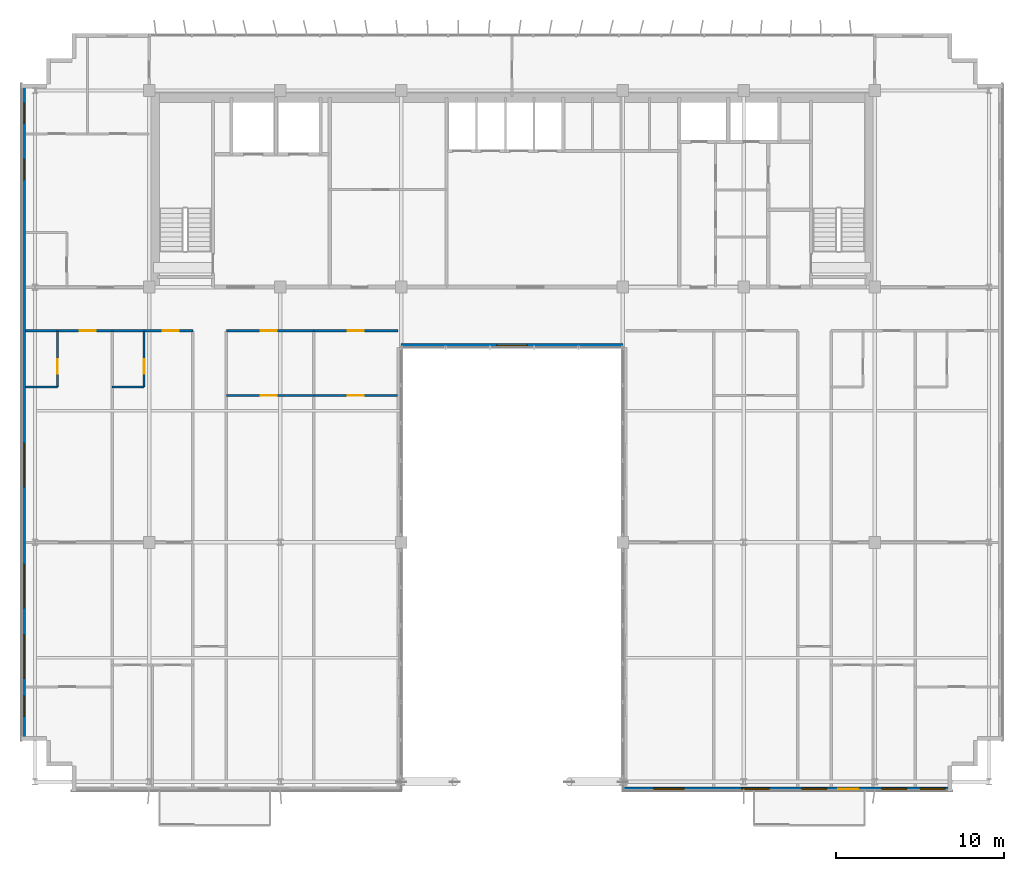
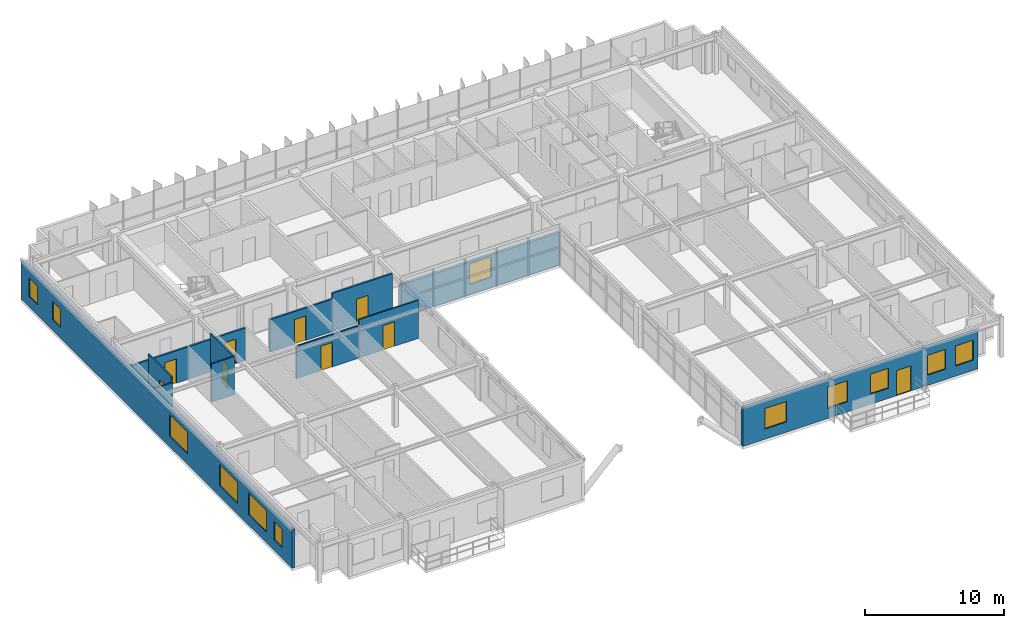
# One storey, part 29 of 35: 13 walls, 12 windows, 9 doors, 21 openings.
"""IFC4 building model written with IfcOpenShell, lengths in metres."""

from ifc_helpers import new_model, si_unit, direction, frame, frame_2d, origin, place, context, subcontext, project, spatial, rectangle, extrude, source, transform, mapped, material, layer, layer_set, type_object, element, fill, save


model = new_model("IFC4")

# Units and contexts
model_context = context("Model", 3, precision=1e-05, world=origin(), true_north=direction((0.0, 1.0)))
body_context = subcontext(model_context, "Body", "Model", "MODEL_VIEW")
ifc_project = project(units=[si_unit("LENGTHUNIT", "METRE"), si_unit("AREAUNIT", "SQUARE_METRE"), si_unit("VOLUMEUNIT", "CUBIC_METRE"), si_unit("PLANEANGLEUNIT", "RADIAN"), si_unit("MASSUNIT", "GRAM", prefix="KILO")], contexts=[model_context])

# Site, building, storey
site_placement = place(None, origin())
site = spatial("IfcSite", under=ifc_project, at=site_placement, CompositionType="ELEMENT")
building_placement = place(site_placement, origin())
building = spatial("IfcBuilding", under=site, at=building_placement, Name="Trelvane Seafront Commons", CompositionType="ELEMENT")
storey_placement = place(building_placement, frame((0.0, 0.0, 194.10009765625)))
storey = spatial("IfcBuildingStorey", under=building, at=storey_placement, Name="L50", CompositionType="ELEMENT", Elevation=194.10009765625)

# Wall, openings, windows
ifc_material_1 = material(Name="Precast concrete C40/50", Category="concrete")
ifc_layer_1 = layer(ifc_material_1, 0.239990234375, Name="ARCH-WALL-EXT240")
ifc_layer_set_1 = layer_set([ifc_layer_1], Name="Precast concrete C40/50")
wall_type_1 = type_object("IfcWallType", Name="ARCH-WALL-EXT240", PredefinedType="SOLIDWALL", material=ifc_layer_set_1)
wall_1_placement = place(storey_placement, frame((8.1201171875, 6.39990234375, 0.0), z_axis=(0.0, 0.0, 1.0), x_axis=(0.0, 1.0, 0.0)))
wall_1 = element("IfcWall", 1, at=wall_1_placement, inside=storey, type_object=wall_type_1, Name="EW-L50-00987", PredefinedType="SOLIDWALL", context=body_context, shape_type="SweptSolid", body=[
    extrude(rectangle(XDim=39.10009765625, YDim=0.239990234375, at=frame_2d((19.550048828125, 0.0))), origin(), (0.0, 0.0, 1.0), 3.35986328125),
])
opening_1_placement = place(wall_1_placement, frame((1.449951171875, 0.0, 0.919921875)))
opening_1 = element("IfcOpeningElement", 2, at=opening_1_placement, cuts=wall_1, Name="Opening W05", PredefinedType="OPENING", context=body_context, shape_type="SweptSolid", body=[
    extrude(rectangle(XDim=1.199951171875, YDim=1.64990234375, at=frame_2d((0.60009765625, 0.824951171875))), frame((0.0, 0.1298828125, 0.0), z_axis=(0.0, -1.0, 0.0), x_axis=(1.0, 0.0, 0.0)), (0.0, 0.0, 1.0), 0.260009765625),
])
opening_2_placement = place(wall_1_placement, frame((3.699951171875, 0.0, 0.919921875)))
opening_2 = element("IfcOpeningElement", 3, at=opening_2_placement, cuts=wall_1, Name="Opening W04", PredefinedType="OPENING", context=body_context, shape_type="SweptSolid", body=[
    extrude(rectangle(XDim=2.60009765625, YDim=1.89990234375, at=frame_2d((1.300048828125, 0.949951171875))), frame((0.0, 0.1298828125, 0.0), z_axis=(0.0, -1.0, 0.0), x_axis=(1.0, 0.0, 0.0)), (0.0, 0.0, 1.0), 0.260009765625),
])
opening_3_placement = place(wall_1_placement, frame((7.89990234375, 0.0, 0.919921875)))
opening_3 = element("IfcOpeningElement", 4, at=opening_3_placement, cuts=wall_1, Name="Opening W04", PredefinedType="OPENING", context=body_context, shape_type="SweptSolid", body=[
    extrude(rectangle(XDim=2.60009765625, YDim=1.89990234375, at=frame_2d((1.300048828125, 0.949951171875))), frame((0.0, 0.1298828125, 0.0), z_axis=(0.0, -1.0, 0.0), x_axis=(1.0, 0.0, 0.0)), (0.0, 0.0, 1.0), 0.260009765625),
])
opening_4_placement = place(wall_1_placement, frame((15.10009765625, 0.0, 0.919921875)))
opening_4 = element("IfcOpeningElement", 5, at=opening_4_placement, cuts=wall_1, Name="Opening W04", PredefinedType="OPENING", context=body_context, shape_type="SweptSolid", body=[
    extrude(rectangle(XDim=2.60009765625, YDim=1.89990234375, at=frame_2d((1.300048828125, 0.949951171875))), frame((0.0, 0.1298828125, 0.0), z_axis=(0.0, -1.0, 0.0), x_axis=(1.0, 0.0, 0.0)), (0.0, 0.0, 1.0), 0.260009765625),
])
opening_5_placement = place(wall_1_placement, frame((33.39990234375, 0.0, 0.919921875)))
opening_5 = element("IfcOpeningElement", 6, at=opening_5_placement, cuts=wall_1, Name="Opening W05", PredefinedType="OPENING", context=body_context, shape_type="SweptSolid", body=[
    extrude(rectangle(XDim=1.199951171875, YDim=1.64990234375, at=frame_2d((0.60009765625, 0.824951171875))), frame((0.0, 0.1298828125, 0.0), z_axis=(0.0, -1.0, 0.0), x_axis=(1.0, 0.0, 0.0)), (0.0, 0.0, 1.0), 0.260009765625),
])
opening_6_placement = place(wall_1_placement, frame((36.75, 0.0, 0.919921875)))
opening_6 = element("IfcOpeningElement", 7, at=opening_6_placement, cuts=wall_1, Name="Opening W05", PredefinedType="OPENING", context=body_context, shape_type="SweptSolid", body=[
    extrude(rectangle(XDim=1.199951171875, YDim=1.64990234375, at=frame_2d((0.60009765625, 0.824951171875))), frame((0.0, 0.1298828125, 0.0), z_axis=(0.0, -1.0, 0.0), x_axis=(1.0, 0.0, 0.0)), (0.0, 0.0, 1.0), 0.260009765625),
])
ifc_material_2 = material(Name="Low-E coastal double glazing", Category="glass")
window_type_1 = type_object("IfcWindowType", Name="ARCH-WIN-W04", PartitioningType="SINGLE_PANEL", PredefinedType="WINDOW", material=ifc_material_2)
shared_shape_1 = source(origin(), body_context, "Body", "SweptSolid", [
    extrude(rectangle(XDim=2.60009765625, YDim=1.89990234375, at=frame_2d((1.300048828125, 0.949951171875))), frame((0.0, 0.030029296875, 0.0), z_axis=(0.0, -1.0, 0.0), x_axis=(1.0, 0.0, 0.0)), (0.0, 0.0, 1.0), 0.06005859375),
])
window_1_placement = place(opening_2_placement, origin())
window_1 = element("IfcWindow", 8, at=window_1_placement, inside=storey, type_object=window_type_1, Name="WIN-L50-EW-01170", OverallHeight=1.89990234375, OverallWidth=2.60009765625, PartitioningType="SINGLE_PANEL", PredefinedType="WINDOW", context=body_context, shape_type="MappedRepresentation", body=[
    mapped(shared_shape_1, transform((0.0, 0.0, 0.0), x_axis=(1.0, 0.0, 0.0), y_axis=(0.0, 1.0, 0.0), z_axis=(0.0, 0.0, 1.0), scale=1.0)),
])
fill(opening_2, window_1)
window_2_placement = place(opening_3_placement, origin())
window_2 = element("IfcWindow", 9, at=window_2_placement, inside=storey, type_object=window_type_1, Name="WIN-L50-EW-01171", OverallHeight=1.89990234375, OverallWidth=2.60009765625, PartitioningType="SINGLE_PANEL", PredefinedType="WINDOW", context=body_context, shape_type="MappedRepresentation", body=[
    mapped(shared_shape_1, transform((0.0, 0.0, 0.0), x_axis=(1.0, 0.0, 0.0), y_axis=(0.0, 1.0, 0.0), z_axis=(0.0, 0.0, 1.0), scale=1.0)),
])
fill(opening_3, window_2)
window_3_placement = place(opening_4_placement, origin())
window_3 = element("IfcWindow", 10, at=window_3_placement, inside=storey, type_object=window_type_1, Name="WIN-L50-EW-01172", OverallHeight=1.89990234375, OverallWidth=2.60009765625, PartitioningType="SINGLE_PANEL", PredefinedType="WINDOW", context=body_context, shape_type="MappedRepresentation", body=[
    mapped(shared_shape_1, transform((0.0, 0.0, 0.0), x_axis=(1.0, 0.0, 0.0), y_axis=(0.0, 1.0, 0.0), z_axis=(0.0, 0.0, 1.0), scale=1.0)),
])
fill(opening_4, window_3)
window_type_2 = type_object("IfcWindowType", Name="ARCH-WIN-W05", PartitioningType="SINGLE_PANEL", PredefinedType="WINDOW", material=ifc_material_2)
shared_shape_2 = source(origin(), body_context, "Body", "SweptSolid", [
    extrude(rectangle(XDim=1.199951171875, YDim=1.64990234375, at=frame_2d((0.60009765625, 0.824951171875))), frame((0.0, 0.030029296875, 0.0), z_axis=(0.0, -1.0, 0.0), x_axis=(1.0, 0.0, 0.0)), (0.0, 0.0, 1.0), 0.06005859375),
])
window_4_placement = place(opening_1_placement, origin())
window_4 = element("IfcWindow", 11, at=window_4_placement, inside=storey, type_object=window_type_2, Name="WIN-L50-EW-01169", OverallHeight=1.64990234375, OverallWidth=1.199951171875, PartitioningType="SINGLE_PANEL", PredefinedType="WINDOW", context=body_context, shape_type="MappedRepresentation", body=[
    mapped(shared_shape_2, transform((0.0, 0.0, 0.0), x_axis=(1.0, 0.0, 0.0), y_axis=(0.0, 1.0, 0.0), z_axis=(0.0, 0.0, 1.0), scale=1.0)),
])
fill(opening_1, window_4)
window_5_placement = place(opening_5_placement, origin())
window_5 = element("IfcWindow", 12, at=window_5_placement, inside=storey, type_object=window_type_2, Name="WIN-L50-EW-01173", OverallHeight=1.64990234375, OverallWidth=1.199951171875, PartitioningType="SINGLE_PANEL", PredefinedType="WINDOW", context=body_context, shape_type="MappedRepresentation", body=[
    mapped(shared_shape_2, transform((0.0, 0.0, 0.0), x_axis=(1.0, 0.0, 0.0), y_axis=(0.0, 1.0, 0.0), z_axis=(0.0, 0.0, 1.0), scale=1.0)),
])
fill(opening_5, window_5)
window_6_placement = place(opening_6_placement, origin())
window_6 = element("IfcWindow", 13, at=window_6_placement, inside=storey, type_object=window_type_2, Name="WIN-L50-EW-01174", OverallHeight=1.64990234375, OverallWidth=1.199951171875, PartitioningType="SINGLE_PANEL", PredefinedType="WINDOW", context=body_context, shape_type="MappedRepresentation", body=[
    mapped(shared_shape_2, transform((0.0, 0.0, 0.0), x_axis=(1.0, 0.0, 0.0), y_axis=(0.0, 1.0, 0.0), z_axis=(0.0, 0.0, 1.0), scale=1.0)),
])
fill(opening_6, window_6)

# Wall, openings, door, windows
wall_2_placement = place(storey_placement, frame((63.39990234375, 3.52001953125, 0.0), z_axis=(0.0, 0.0, 1.0), x_axis=(-1.0, 0.0, 0.0)))
wall_2 = element("IfcWall", 14, at=wall_2_placement, inside=storey, type_object=wall_type_1, Name="EW-L50-01001", PredefinedType="SOLIDWALL", context=body_context, shape_type="SweptSolid", body=[
    extrude(rectangle(XDim=19.599853515625, YDim=0.239990234375, at=frame_2d((9.7998046875, 0.0))), origin(), (0.0, 0.0, 1.0), 3.35986328125),
])
opening_7_placement = place(wall_2_placement, frame((0.39501953125, 0.0, 0.89990234375)))
opening_7 = element("IfcOpeningElement", 15, at=opening_7_placement, cuts=wall_2, Name="Opening W03", PredefinedType="OPENING", context=body_context, shape_type="SweptSolid", body=[
    extrude(rectangle(XDim=1.5, YDim=1.75, at=frame_2d((0.75, 0.875))), frame((0.0, 0.1298828125, 0.0), z_axis=(0.0, -1.0, 0.0), x_axis=(1.0, 0.0, 0.0)), (0.0, 0.0, 1.0), 0.260009765625),
])
opening_8_placement = place(wall_2_placement, frame((2.699951171875, 0.0, 0.89990234375)))
opening_8 = element("IfcOpeningElement", 16, at=opening_8_placement, cuts=wall_2, Name="Opening W03", PredefinedType="OPENING", context=body_context, shape_type="SweptSolid", body=[
    extrude(rectangle(XDim=1.5, YDim=1.75, at=frame_2d((0.75, 0.875))), frame((0.0, 0.1298828125, 0.0), z_axis=(0.0, -1.0, 0.0), x_axis=(1.0, 0.0, 0.0)), (0.0, 0.0, 1.0), 0.260009765625),
])
opening_9_placement = place(wall_2_placement, frame((5.5849609375, 0.0, 0.0)))
opening_9 = element("IfcOpeningElement", 17, at=opening_9_placement, cuts=wall_2, Name="Opening BD-L50-110", PredefinedType="OPENING", context=body_context, shape_type="SweptSolid", body=[
    extrude(rectangle(XDim=1.199951171875, YDim=2.199951171875, at=frame_2d((0.60009765625, 1.10009765625))), frame((0.0, 0.1298828125, 0.0), z_axis=(0.0, -1.0, 0.0), x_axis=(1.0, 0.0, 0.0)), (0.0, 0.0, 1.0), 0.260009765625),
])
opening_10_placement = place(wall_2_placement, frame((7.449951171875, 0.0, 0.89990234375)))
opening_10 = element("IfcOpeningElement", 18, at=opening_10_placement, cuts=wall_2, Name="Opening W03", PredefinedType="OPENING", context=body_context, shape_type="SweptSolid", body=[
    extrude(rectangle(XDim=1.5, YDim=1.75, at=frame_2d((0.75, 0.875))), frame((0.0, 0.1298828125, 0.0), z_axis=(0.0, -1.0, 0.0), x_axis=(1.0, 0.0, 0.0)), (0.0, 0.0, 1.0), 0.260009765625),
])
opening_11_placement = place(wall_2_placement, frame((10.875, 0.0, 0.89990234375)))
opening_11 = element("IfcOpeningElement", 19, at=opening_11_placement, cuts=wall_2, Name="Opening W07", PredefinedType="OPENING", context=body_context, shape_type="SweptSolid", body=[
    extrude(rectangle(XDim=1.64990234375, YDim=1.85009765625, at=frame_2d((0.824951171875, 0.925048828125))), frame((0.0, 0.1298828125, 0.0), z_axis=(0.0, -1.0, 0.0), x_axis=(1.0, 0.0, 0.0)), (0.0, 0.0, 1.0), 0.260009765625),
])
opening_12_placement = place(wall_2_placement, frame((15.955078125, 0.0, 0.89990234375)))
opening_12 = element("IfcOpeningElement", 20, at=opening_12_placement, cuts=wall_2, Name="Opening W01", PredefinedType="OPENING", context=body_context, shape_type="SweptSolid", body=[
    extrude(rectangle(XDim=1.800048828125, YDim=1.800048828125, at=frame_2d((0.89990234375, 0.89990234375))), frame((0.0, 0.1298828125, 0.0), z_axis=(0.0, -1.0, 0.0), x_axis=(1.0, 0.0, 0.0)), (0.0, 0.0, 1.0), 0.260009765625),
])
ifc_material_3 = material(Name="Powder-coated aluminium frame", Category="aluminium")
door_type_1 = type_object("IfcDoorType", Name="ARCH-DR-BAL1200", OperationType="NOTDEFINED", PredefinedType="DOOR", material=ifc_material_3)
shared_shape_3 = source(origin(), body_context, "Body", "SweptSolid", [
    extrude(rectangle(XDim=1.199951171875, YDim=2.199951171875, at=frame_2d((0.60009765625, 1.10009765625))), frame((0.0, 0.02490234375, 0.0), z_axis=(0.0, -1.0, 0.0), x_axis=(1.0, 0.0, 0.0)), (0.0, 0.0, 1.0), 0.050048828125),
])
door_1_placement = place(opening_9_placement, origin())
door_1 = element("IfcDoor", 21, at=door_1_placement, inside=storey, type_object=door_type_1, Name="L50 Balcony Terrace Access Door", OperationType="SINGLE_SWING_LEFT", OverallHeight=2.199951171875, OverallWidth=1.199951171875, PredefinedType="DOOR", context=body_context, shape_type="MappedRepresentation", body=[
    mapped(shared_shape_3, transform((0.0, 0.0, 0.0), x_axis=(1.0, 0.0, 0.0), y_axis=(0.0, 1.0, 0.0), z_axis=(0.0, 0.0, 1.0), scale=1.0)),
])
fill(opening_9, door_1)
window_type_3 = type_object("IfcWindowType", Name="ARCH-WIN-W03", PartitioningType="SINGLE_PANEL", PredefinedType="WINDOW", material=ifc_material_2)
shared_shape_4 = source(origin(), body_context, "Body", "SweptSolid", [
    extrude(rectangle(XDim=1.5, YDim=1.75, at=frame_2d((0.75, 0.875))), frame((0.0, 0.030029296875, 0.0), z_axis=(0.0, -1.0, 0.0), x_axis=(1.0, 0.0, 0.0)), (0.0, 0.0, 1.0), 0.06005859375),
])
window_7_placement = place(opening_7_placement, origin())
window_7 = element("IfcWindow", 22, at=window_7_placement, inside=storey, type_object=window_type_3, Name="WIN-L50-01182", OverallHeight=1.75, OverallWidth=1.5, PartitioningType="SINGLE_PANEL", PredefinedType="WINDOW", context=body_context, shape_type="MappedRepresentation", body=[
    mapped(shared_shape_4, transform((0.0, 0.0, 0.0), x_axis=(1.0, 0.0, 0.0), y_axis=(0.0, 1.0, 0.0), z_axis=(0.0, 0.0, 1.0), scale=1.0)),
])
fill(opening_7, window_7)
window_8_placement = place(opening_8_placement, origin())
window_8 = element("IfcWindow", 23, at=window_8_placement, inside=storey, type_object=window_type_3, Name="WIN-L50-01183", OverallHeight=1.75, OverallWidth=1.5, PartitioningType="SINGLE_PANEL", PredefinedType="WINDOW", context=body_context, shape_type="MappedRepresentation", body=[
    mapped(shared_shape_4, transform((0.0, 0.0, 0.0), x_axis=(1.0, 0.0, 0.0), y_axis=(0.0, 1.0, 0.0), z_axis=(0.0, 0.0, 1.0), scale=1.0)),
])
fill(opening_8, window_8)
window_9_placement = place(opening_10_placement, origin())
window_9 = element("IfcWindow", 24, at=window_9_placement, inside=storey, type_object=window_type_3, Name="WIN-L50-01184", OverallHeight=1.75, OverallWidth=1.5, PartitioningType="SINGLE_PANEL", PredefinedType="WINDOW", context=body_context, shape_type="MappedRepresentation", body=[
    mapped(shared_shape_4, transform((0.0, 0.0, 0.0), x_axis=(1.0, 0.0, 0.0), y_axis=(0.0, 1.0, 0.0), z_axis=(0.0, 0.0, 1.0), scale=1.0)),
])
fill(opening_10, window_9)
window_type_4 = type_object("IfcWindowType", Name="ARCH-WIN-W01", PartitioningType="SINGLE_PANEL", PredefinedType="WINDOW", material=ifc_material_2)
shared_shape_5 = source(origin(), body_context, "Body", "SweptSolid", [
    extrude(rectangle(XDim=1.800048828125, YDim=1.800048828125, at=frame_2d((0.89990234375, 0.89990234375))), frame((0.0, 0.030029296875, 0.0), z_axis=(0.0, -1.0, 0.0), x_axis=(1.0, 0.0, 0.0)), (0.0, 0.0, 1.0), 0.06005859375),
])
window_10_placement = place(opening_12_placement, origin())
window_10 = element("IfcWindow", 25, at=window_10_placement, inside=storey, type_object=window_type_4, Name="WIN-L50-01186", OverallHeight=1.800048828125, OverallWidth=1.800048828125, PartitioningType="SINGLE_PANEL", PredefinedType="WINDOW", context=body_context, shape_type="MappedRepresentation", body=[
    mapped(shared_shape_5, transform((0.0, 0.0, 0.0), x_axis=(1.0, 0.0, 0.0), y_axis=(0.0, 1.0, 0.0), z_axis=(0.0, 0.0, 1.0), scale=1.0)),
])
fill(opening_12, window_10)
window_type_5 = type_object("IfcWindowType", Name="ARCH-WIN-W07", PartitioningType="SINGLE_PANEL", PredefinedType="WINDOW", material=ifc_material_2)
shared_shape_6 = source(origin(), body_context, "Body", "SweptSolid", [
    extrude(rectangle(XDim=1.64990234375, YDim=1.85009765625, at=frame_2d((0.824951171875, 0.925048828125))), frame((0.0, 0.030029296875, 0.0), z_axis=(0.0, -1.0, 0.0), x_axis=(1.0, 0.0, 0.0)), (0.0, 0.0, 1.0), 0.06005859375),
])
window_11_placement = place(opening_11_placement, origin())
window_11 = element("IfcWindow", 26, at=window_11_placement, inside=storey, type_object=window_type_5, Name="WIN-L50-01185", OverallHeight=1.85009765625, OverallWidth=1.64990234375, PartitioningType="SINGLE_PANEL", PredefinedType="WINDOW", context=body_context, shape_type="MappedRepresentation", body=[
    mapped(shared_shape_6, transform((0.0, 0.0, 0.0), x_axis=(1.0, 0.0, 0.0), y_axis=(0.0, 1.0, 0.0), z_axis=(0.0, 0.0, 1.0), scale=1.0)),
])
fill(opening_11, window_11)

# Wall, opening, window
wall_3_placement = place(storey_placement, frame((43.800048828125, 29.919921875, 0.0), z_axis=(0.0, 0.0, 1.0), x_axis=(-1.0, 0.0, 0.0)))
wall_3 = element("IfcWall", 27, at=wall_3_placement, inside=storey, type_object=wall_type_1, Name="EW-L50-01003", PredefinedType="SOLIDWALL", context=body_context, shape_type="SweptSolid", body=[
    extrude(rectangle(XDim=13.199951171875, YDim=0.239990234375, at=frame_2d((6.60009765625, 0.0))), origin(), (0.0, 0.0, 1.0), 2.85986328125),
])
opening_13_placement = place(wall_3_placement, frame((5.699951171875, 0.0, 0.89990234375)))
opening_13 = element("IfcOpeningElement", 28, at=opening_13_placement, cuts=wall_3, Name="Opening W01", PredefinedType="OPENING", context=body_context, shape_type="SweptSolid", body=[
    extrude(rectangle(XDim=1.800048828125, YDim=1.800048828125, at=frame_2d((0.89990234375, 0.89990234375))), frame((0.0, 0.1298828125, 0.0), z_axis=(0.0, -1.0, 0.0), x_axis=(1.0, 0.0, 0.0)), (0.0, 0.0, 1.0), 0.260009765625),
])
window_12_placement = place(opening_13_placement, origin())
window_12 = element("IfcWindow", 29, at=window_12_placement, inside=storey, type_object=window_type_4, Name="WIN-L50-01191", OverallHeight=1.800048828125, OverallWidth=1.800048828125, PartitioningType="SINGLE_PANEL", PredefinedType="WINDOW", context=body_context, shape_type="MappedRepresentation", body=[
    mapped(shared_shape_5, transform((0.0, 0.0, 0.0), x_axis=(1.0, 0.0, 0.0), y_axis=(0.0, 1.0, 0.0), z_axis=(0.0, 0.0, 1.0), scale=1.0)),
])
fill(opening_13, window_12)

# Wall, opening, door
ifc_material_4 = material(Name="Gypsum Drywall Acoustic Partition")
ifc_layer_2 = layer(ifc_material_4, 0.1201171875, Name="ARCH-WALL-PART120")
ifc_layer_set_2 = layer_set([ifc_layer_2], Name="Gypsum Drywall Acoustic Partition")
wall_type_2 = type_object("IfcWallType", Name="ARCH-WALL-PART120", PredefinedType="PARTITIONING", material=ifc_layer_set_2)
wall_4_placement = place(storey_placement, frame((10.139892578125, 27.449951171875, 0.0), z_axis=(0.0, 0.0, 1.0), x_axis=(0.0, 1.0, 0.0)))
wall_4 = element("IfcWall", 30, at=wall_4_placement, inside=storey, type_object=wall_type_2, Name="W-L50-U1-BE-052", PredefinedType="PARTITIONING", context=body_context, shape_type="SweptSolid", body=[
    extrude(rectangle(XDim=3.35009765625, YDim=0.1201171875, at=frame_2d((1.675048828125, 0.0))), origin(), (0.0, 0.0, 1.0), 3.35986328125),
])
opening_14_placement = place(wall_4_placement, frame((0.800048828125, 0.0, 0.0)))
opening_14 = element("IfcOpeningElement", 31, at=opening_14_placement, cuts=wall_4, Name="Opening D-L50-30", PredefinedType="OPENING", context=body_context, shape_type="SweptSolid", body=[
    extrude(rectangle(XDim=0.85009765625, YDim=2.10009765625, at=frame_2d((0.425048828125, 1.050048828125))), frame((0.0, 0.070068359375, 0.0), z_axis=(0.0, -1.0, 0.0), x_axis=(1.0, 0.0, 0.0)), (0.0, 0.0, 1.0), 0.14013671875),
])
ifc_material_5 = material(Name="Acoustic timber door leaf", Category="wood")
door_type_2 = type_object("IfcDoorType", Name="ARCH-DR-INT850", OperationType="NOTDEFINED", PredefinedType="DOOR", material=ifc_material_5)
shared_shape_7 = source(origin(), body_context, "Body", "SweptSolid", [
    extrude(rectangle(XDim=0.85009765625, YDim=2.10009765625, at=frame_2d((0.425048828125, 1.050048828125))), frame((0.0, 0.02490234375, 0.0), z_axis=(0.0, -1.0, 0.0), x_axis=(1.0, 0.0, 0.0)), (0.0, 0.0, 1.0), 0.050048828125),
])
door_2_placement = place(opening_14_placement, origin())
door_2 = element("IfcDoor", 32, at=door_2_placement, inside=storey, type_object=door_type_2, Name="L50 Door 30", OperationType="SINGLE_SWING_RIGHT", OverallHeight=2.10009765625, OverallWidth=0.85009765625, PredefinedType="DOOR", context=body_context, shape_type="MappedRepresentation", body=[
    mapped(shared_shape_7, transform((0.0, 0.0, 0.0), x_axis=(1.0, 0.0, 0.0), y_axis=(0.0, 1.0, 0.0), z_axis=(0.0, 0.0, 1.0), scale=1.0)),
])
fill(opening_14, door_2)

# Wall
wall_5_placement = place(storey_placement, frame((8.239990234375, 27.449951171875, 0.0), z_axis=(0.0, 0.0, 1.0), x_axis=(1.0, 0.0, 0.0)))
element("IfcWall", 33, at=wall_5_placement, inside=storey, type_object=wall_type_2, Name="W-L50-U1-BS-053", PredefinedType="PARTITIONING", context=body_context, shape_type="SweptSolid", body=[
    extrude(rectangle(XDim=1.89990234375, YDim=0.1201171875, at=frame_2d((0.949951171875, 0.0))), origin(), (0.0, 0.0, 1.0), 2.85986328125),
])

# Wall, opening, door
wall_6_placement = place(storey_placement, frame((15.300048828125, 27.449951171875, 0.0), z_axis=(0.0, 0.0, 1.0), x_axis=(0.0, 1.0, 0.0)))
wall_6 = element("IfcWall", 34, at=wall_6_placement, inside=storey, type_object=wall_type_2, Name="W-L50-U2-BE-057", PredefinedType="PARTITIONING", context=body_context, shape_type="SweptSolid", body=[
    extrude(rectangle(XDim=3.35009765625, YDim=0.1201171875, at=frame_2d((1.675048828125, 0.0))), origin(), (0.0, 0.0, 1.0), 3.35986328125),
])
opening_15_placement = place(wall_6_placement, frame((0.800048828125, 0.0, 0.0)))
opening_15 = element("IfcOpeningElement", 35, at=opening_15_placement, cuts=wall_6, Name="Opening D-L50-34", PredefinedType="OPENING", context=body_context, shape_type="SweptSolid", body=[
    extrude(rectangle(XDim=0.85009765625, YDim=2.10009765625, at=frame_2d((0.425048828125, 1.050048828125))), frame((0.0, 0.070068359375, 0.0), z_axis=(0.0, -1.0, 0.0), x_axis=(1.0, 0.0, 0.0)), (0.0, 0.0, 1.0), 0.14013671875),
])
door_3_placement = place(opening_15_placement, origin())
door_3 = element("IfcDoor", 36, at=door_3_placement, inside=storey, type_object=door_type_2, Name="L50 Door 34", OperationType="SINGLE_SWING_RIGHT", OverallHeight=2.10009765625, OverallWidth=0.85009765625, PredefinedType="DOOR", context=body_context, shape_type="MappedRepresentation", body=[
    mapped(shared_shape_7, transform((0.0, 0.0, 0.0), x_axis=(1.0, 0.0, 0.0), y_axis=(0.0, 1.0, 0.0), z_axis=(0.0, 0.0, 1.0), scale=1.0)),
])
fill(opening_15, door_3)

# Wall
wall_7_placement = place(storey_placement, frame((13.39990234375, 27.449951171875, 0.0), z_axis=(0.0, 0.0, 1.0), x_axis=(1.0, 0.0, 0.0)))
element("IfcWall", 37, at=wall_7_placement, inside=storey, type_object=wall_type_2, Name="W-L50-U2-BS-058", PredefinedType="PARTITIONING", context=body_context, shape_type="SweptSolid", body=[
    extrude(rectangle(XDim=1.900146484375, YDim=0.1201171875, at=frame_2d((0.9501953125, 0.0))), origin(), (0.0, 0.0, 1.0), 3.35986328125),
])

# Wall, opening, door
wall_8_placement = place(storey_placement, frame((20.199951171875, 26.949951171875, 0.0), z_axis=(0.0, 0.0, 1.0), x_axis=(1.0, 0.0, 0.0)))
wall_8 = element("IfcWall", 38, at=wall_8_placement, inside=storey, type_object=wall_type_2, Name="W-L50-U4-DIV-067", PredefinedType="PARTITIONING", context=body_context, shape_type="SweptSolid", body=[
    extrude(rectangle(XDim=5.199951171875, YDim=0.1201171875, at=frame_2d((2.60009765625, 0.0))), origin(), (0.0, 0.0, 1.0), 2.85986328125),
])
opening_16_placement = place(wall_8_placement, frame((2.032958984375, 0.0, 0.0)))
opening_16 = element("IfcOpeningElement", 39, at=opening_16_placement, cuts=wall_8, Name="Opening D-L50-40", PredefinedType="OPENING", context=body_context, shape_type="SweptSolid", body=[
    extrude(rectangle(XDim=0.949951171875, YDim=2.14990234375, at=frame_2d((0.47509765625, 1.074951171875))), frame((0.0, 0.070068359375, 0.0), z_axis=(0.0, -1.0, 0.0), x_axis=(1.0, 0.0, 0.0)), (0.0, 0.0, 1.0), 0.14013671875),
])
door_type_3 = type_object("IfcDoorType", Name="ARCH-DR-INT950", OperationType="NOTDEFINED", PredefinedType="DOOR", material=ifc_material_5)
shared_shape_8 = source(origin(), body_context, "Body", "SweptSolid", [
    extrude(rectangle(XDim=0.949951171875, YDim=2.14990234375, at=frame_2d((0.47509765625, 1.074951171875))), frame((0.0, 0.02490234375, 0.0), z_axis=(0.0, -1.0, 0.0), x_axis=(1.0, 0.0, 0.0)), (0.0, 0.0, 1.0), 0.050048828125),
])
door_4_placement = place(opening_16_placement, origin())
door_4 = element("IfcDoor", 40, at=door_4_placement, inside=storey, type_object=door_type_3, Name="L50 Door 40", OperationType="SINGLE_SWING_RIGHT", OverallHeight=2.14990234375, OverallWidth=0.949951171875, PredefinedType="DOOR", context=body_context, shape_type="MappedRepresentation", body=[
    mapped(shared_shape_8, transform((0.0, 0.0, 0.0), x_axis=(1.0, 0.0, 0.0), y_axis=(0.0, 1.0, 0.0), z_axis=(0.0, 0.0, 1.0), scale=1.0)),
])
fill(opening_16, door_4)

wall_9_placement = place(storey_placement, frame((25.39990234375, 26.949951171875, 0.0), z_axis=(0.0, 0.0, 1.0), x_axis=(1.0, 0.0, 0.0)))
wall_9 = element("IfcWall", 41, at=wall_9_placement, inside=storey, type_object=wall_type_2, Name="W-L50-U5-DIV-069", PredefinedType="PARTITIONING", context=body_context, shape_type="SweptSolid", body=[
    extrude(rectangle(XDim=4.97509765625, YDim=0.1201171875, at=frame_2d((2.487548828125, 0.0))), origin(), (0.0, 0.0, 1.0), 3.35986328125),
])
opening_17_placement = place(wall_9_placement, frame((2.012939453125, 0.0, 0.0)))
opening_17 = element("IfcOpeningElement", 42, at=opening_17_placement, cuts=wall_9, Name="Opening D-L50-42", PredefinedType="OPENING", context=body_context, shape_type="SweptSolid", body=[
    extrude(rectangle(XDim=0.949951171875, YDim=2.14990234375, at=frame_2d((0.47509765625, 1.074951171875))), frame((0.0, 0.070068359375, 0.0), z_axis=(0.0, -1.0, 0.0), x_axis=(1.0, 0.0, 0.0)), (0.0, 0.0, 1.0), 0.14013671875),
])
door_5_placement = place(opening_17_placement, origin())
door_5 = element("IfcDoor", 43, at=door_5_placement, inside=storey, type_object=door_type_3, Name="L50 Door 42", OperationType="SINGLE_SWING_RIGHT", OverallHeight=2.14990234375, OverallWidth=0.949951171875, PredefinedType="DOOR", context=body_context, shape_type="MappedRepresentation", body=[
    mapped(shared_shape_8, transform((0.0, 0.0, 0.0), x_axis=(1.0, 0.0, 0.0), y_axis=(0.0, 1.0, 0.0), z_axis=(0.0, 0.0, 1.0), scale=1.0)),
])
fill(opening_17, door_5)

ifc_layer_3 = layer(ifc_material_4, 0.14990234375, Name="ARCH-WALL-PART150")
ifc_layer_set_3 = layer_set([ifc_layer_3], Name="Gypsum Drywall Acoustic Partition")
wall_type_3 = type_object("IfcWallType", Name="ARCH-WALL-PART150", PredefinedType="PARTITIONING", material=ifc_layer_set_3)
wall_10_placement = place(storey_placement, frame((8.22509765625, 30.800048828125, 0.0), z_axis=(0.0, 0.0, 1.0), x_axis=(1.0, 0.0, 0.0)))
wall_10 = element("IfcWall", 44, at=wall_10_placement, inside=storey, type_object=wall_type_3, Name="W-L50-CS-BAY-1-054", PredefinedType="PARTITIONING", context=body_context, shape_type="SweptSolid", body=[
    extrude(rectangle(XDim=5.1748046875, YDim=0.14990234375, at=frame_2d((2.58740234375, 0.0))), origin(), (0.0, 0.0, 1.0), 2.85986328125),
])
opening_18_placement = place(wall_10_placement, frame((3.243896484375, 0.0, 0.0)))
opening_18 = element("IfcOpeningElement", 45, at=opening_18_placement, cuts=wall_10, Name="Opening FD-L50-31", PredefinedType="OPENING", context=body_context, shape_type="SweptSolid", body=[
    extrude(rectangle(XDim=0.949951171875, YDim=2.14990234375, at=frame_2d((0.47509765625, 1.074951171875))), frame((0.0, 0.0849609375, 0.0), z_axis=(0.0, -1.0, 0.0), x_axis=(1.0, 0.0, 0.0)), (0.0, 0.0, 1.0), 0.169921875),
])
door_type_4 = type_object("IfcDoorType", Name="ARCH-DR-FD60-950", OperationType="NOTDEFINED", PredefinedType="DOOR", material=ifc_material_3)
door_6_placement = place(opening_18_placement, origin())
door_6 = element("IfcDoor", 46, at=door_6_placement, inside=storey, type_object=door_type_4, Name="L50 Unit 01 Entrance Door", OperationType="SINGLE_SWING_LEFT", OverallHeight=2.14990234375, OverallWidth=0.949951171875, PredefinedType="DOOR", context=body_context, shape_type="MappedRepresentation", body=[
    mapped(shared_shape_8, transform((0.0, 0.0, 0.0), x_axis=(1.0, 0.0, 0.0), y_axis=(0.0, 1.0, 0.0), z_axis=(0.0, 0.0, 1.0), scale=1.0)),
])
fill(opening_18, door_6)

wall_11_placement = place(storey_placement, frame((13.39990234375, 30.800048828125, 0.0), z_axis=(0.0, 0.0, 1.0), x_axis=(1.0, 0.0, 0.0)))
wall_11 = element("IfcWall", 47, at=wall_11_placement, inside=storey, type_object=wall_type_3, Name="W-L50-CS-BAY-2-059", PredefinedType="PARTITIONING", context=body_context, shape_type="SweptSolid", body=[
    extrude(rectangle(XDim=4.800048828125, YDim=0.14990234375, at=frame_2d((2.39990234375, 0.0))), origin(), (0.0, 0.0, 1.0), 2.85986328125),
])
opening_19_placement = place(wall_11_placement, frame((3.01904296875, 0.0, 0.0)))
opening_19 = element("IfcOpeningElement", 48, at=opening_19_placement, cuts=wall_11, Name="Opening FD-L50-35", PredefinedType="OPENING", context=body_context, shape_type="SweptSolid", body=[
    extrude(rectangle(XDim=0.949951171875, YDim=2.14990234375, at=frame_2d((0.47509765625, 1.074951171875))), frame((0.0, 0.0849609375, 0.0), z_axis=(0.0, -1.0, 0.0), x_axis=(1.0, 0.0, 0.0)), (0.0, 0.0, 1.0), 0.169921875),
])
door_7_placement = place(opening_19_placement, origin())
door_7 = element("IfcDoor", 49, at=door_7_placement, inside=storey, type_object=door_type_4, Name="L50 Unit 02 Entrance Door", OperationType="SINGLE_SWING_LEFT", OverallHeight=2.14990234375, OverallWidth=0.949951171875, PredefinedType="DOOR", context=body_context, shape_type="MappedRepresentation", body=[
    mapped(shared_shape_8, transform((0.0, 0.0, 0.0), x_axis=(1.0, 0.0, 0.0), y_axis=(0.0, 1.0, 0.0), z_axis=(0.0, 0.0, 1.0), scale=1.0)),
])
fill(opening_19, door_7)

wall_12_placement = place(storey_placement, frame((20.199951171875, 30.800048828125, 0.0), z_axis=(0.0, 0.0, 1.0), x_axis=(1.0, 0.0, 0.0)))
wall_12 = element("IfcWall", 50, at=wall_12_placement, inside=storey, type_object=wall_type_3, Name="W-L50-CS-BAY-4-066", PredefinedType="PARTITIONING", context=body_context, shape_type="SweptSolid", body=[
    extrude(rectangle(XDim=5.199951171875, YDim=0.14990234375, at=frame_2d((2.60009765625, 0.0))), origin(), (0.0, 0.0, 1.0), 2.85986328125),
])
opening_20_placement = place(wall_12_placement, frame((2.032958984375, 0.0, 0.0)))
opening_20 = element("IfcOpeningElement", 51, at=opening_20_placement, cuts=wall_12, Name="Opening FD-L50-39", PredefinedType="OPENING", context=body_context, shape_type="SweptSolid", body=[
    extrude(rectangle(XDim=0.949951171875, YDim=2.14990234375, at=frame_2d((0.47509765625, 1.074951171875))), frame((0.0, 0.0849609375, 0.0), z_axis=(0.0, -1.0, 0.0), x_axis=(1.0, 0.0, 0.0)), (0.0, 0.0, 1.0), 0.169921875),
])
door_8_placement = place(opening_20_placement, origin())
door_8 = element("IfcDoor", 52, at=door_8_placement, inside=storey, type_object=door_type_4, Name="L50 Bay 04 Entrance Door", OperationType="SINGLE_SWING_LEFT", OverallHeight=2.14990234375, OverallWidth=0.949951171875, PredefinedType="DOOR", context=body_context, shape_type="MappedRepresentation", body=[
    mapped(shared_shape_8, transform((0.0, 0.0, 0.0), x_axis=(1.0, 0.0, 0.0), y_axis=(0.0, 1.0, 0.0), z_axis=(0.0, 0.0, 1.0), scale=1.0)),
])
fill(opening_20, door_8)

wall_13_placement = place(storey_placement, frame((25.39990234375, 30.800048828125, 0.0), z_axis=(0.0, 0.0, 1.0), x_axis=(1.0, 0.0, 0.0)))
wall_13 = element("IfcWall", 53, at=wall_13_placement, inside=storey, type_object=wall_type_3, Name="W-L50-CS-BAY-5-068", PredefinedType="PARTITIONING", context=body_context, shape_type="SweptSolid", body=[
    extrude(rectangle(XDim=5.0, YDim=0.14990234375, at=frame_2d((2.5, 0.0))), origin(), (0.0, 0.0, 1.0), 3.35986328125),
])
opening_21_placement = place(wall_13_placement, frame((2.02490234375, 0.0, 0.0)))
opening_21 = element("IfcOpeningElement", 54, at=opening_21_placement, cuts=wall_13, Name="Opening FD-L50-41", PredefinedType="OPENING", context=body_context, shape_type="SweptSolid", body=[
    extrude(rectangle(XDim=0.949951171875, YDim=2.14990234375, at=frame_2d((0.47509765625, 1.074951171875))), frame((0.0, 0.0849609375, 0.0), z_axis=(0.0, -1.0, 0.0), x_axis=(1.0, 0.0, 0.0)), (0.0, 0.0, 1.0), 0.169921875),
])
door_9_placement = place(opening_21_placement, origin())
door_9 = element("IfcDoor", 55, at=door_9_placement, inside=storey, type_object=door_type_4, Name="L50 Bay 05 Entrance Door", OperationType="SINGLE_SWING_LEFT", OverallHeight=2.14990234375, OverallWidth=0.949951171875, PredefinedType="DOOR", context=body_context, shape_type="MappedRepresentation", body=[
    mapped(shared_shape_8, transform((0.0, 0.0, 0.0), x_axis=(1.0, 0.0, 0.0), y_axis=(0.0, 1.0, 0.0), z_axis=(0.0, 0.0, 1.0), scale=1.0)),
])
fill(opening_21, door_9)

save(model, "model.ifc")
